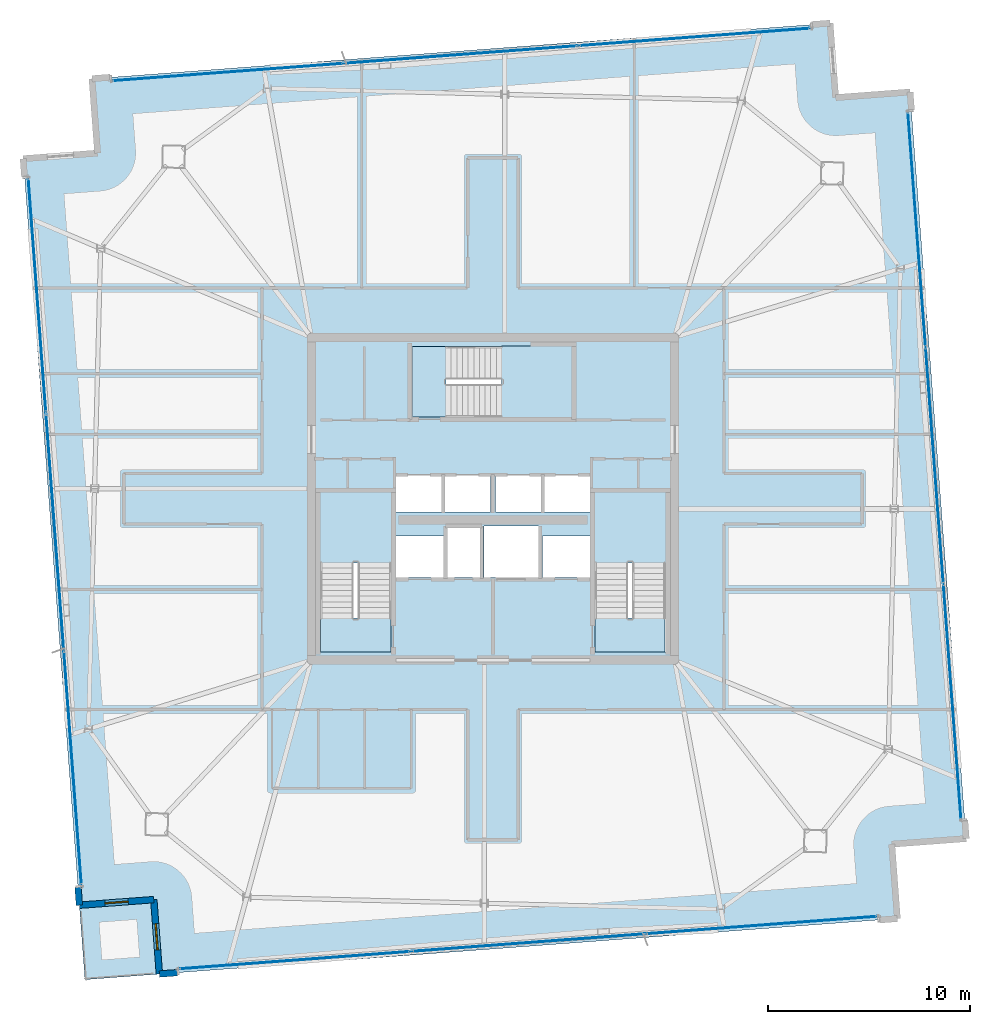
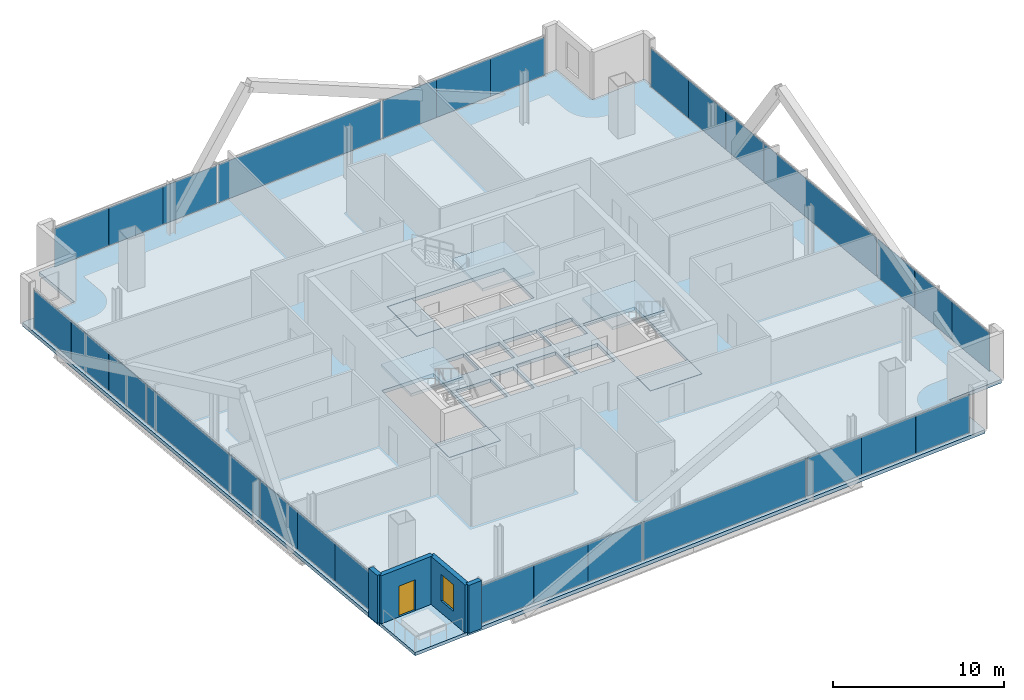
# One storey, part 16 of 23: 28 plates, 8 slabs, 4 walls, 1 door, 1 window, 2 openings, 7 elements without a shape of their own.
"""IFC4 building model written with IfcOpenShell, lengths in metres."""

from ifc_helpers import new_model, si_unit, direction, frame, frame_2d, origin, origin_2d, place, context, subcontext, project, spatial, polyline, rectangle, outline, extrude, source, transform, mapped, material, layer, layer_set, type_object, element, fill, aggregate, save


model = new_model("IFC4")

# Units and contexts
model_context = context("Model", 3, precision=1e-05, world=origin(), true_north=direction((0.0, 1.0)))
body_context = subcontext(model_context, "Body", "Model", "MODEL_VIEW")
ifc_project = project(units=[si_unit("LENGTHUNIT", "METRE"), si_unit("AREAUNIT", "SQUARE_METRE"), si_unit("VOLUMEUNIT", "CUBIC_METRE"), si_unit("PLANEANGLEUNIT", "RADIAN"), si_unit("MASSUNIT", "GRAM", prefix="KILO")], contexts=[model_context])

# Site, building, storey
site_placement = place(None, origin())
site = spatial("IfcSite", under=ifc_project, at=site_placement, CompositionType="ELEMENT")
building_placement = place(site_placement, origin())
building = spatial("IfcBuilding", under=site, at=building_placement, Name="Haldenkirk Collegiate Tower", CompositionType="ELEMENT")
storey_placement = place(building_placement, frame((0.0, 0.0, 343.949951171875)))
storey = spatial("IfcBuildingStorey", under=building, at=storey_placement, Name="L87", CompositionType="ELEMENT", Elevation=343.949951171875)

# Slab
ifc_material_1 = material(Name="Concrete f'c 40 MPa", Category="concrete")
ifc_layer_1 = layer(ifc_material_1, 0.260009765625)
ifc_layer_set_1 = layer_set([ifc_layer_1], Name="Concrete f'c 40 MPa")
slab_type_1 = type_object("IfcSlabType", Name="SLB-FLR-260", PredefinedType="FLOOR", material=ifc_layer_set_1)
slab_1_placement = place(storey_placement, frame((0.0, 0.0, -0.260009765625)))
element("IfcSlab", 1, at=slab_1_placement, inside=storey, type_object=slab_type_1, Name="L87 composite structural floor slab", PredefinedType="FLOOR", context=body_context, shape_type="SweptSolid", body=[
    extrude(outline(polyline([(59.45361328125, 9.1611328125), (56.671875, 46.15673828125), (52.982421875, 45.87939453125), (52.704833984375, 49.56884765625), (16.133056640625, 46.819091796875), (16.410400390625, 43.12939453125), (12.720947265625, 42.85205078125), (15.502685546875, 5.8564453125), (19.192138671875, 6.1337890625), (19.469482421875, 2.4443359375), (56.04150390625, 5.194091796875), (55.763916015625, 8.8837890625), (59.45361328125, 9.1611328125)]), holes=[polyline([(27.449951171875, 18.39990234375), (30.949951171875, 18.39990234375), (30.949951171875, 26.300048828125), (27.449951171875, 26.300048828125), (27.449951171875, 18.39990234375)]), polyline([(41.050048828125, 18.39990234375), (44.550048828125, 18.39990234375), (44.550048828125, 26.300048828125), (41.050048828125, 26.300048828125), (41.050048828125, 18.39990234375)]), polyline([(32.0, 30.050048828125), (39.89990234375, 30.050048828125), (39.89990234375, 33.550048828125), (32.0, 33.550048828125), (32.0, 30.050048828125)]), polyline([(33.75, 22.10009765625), (35.35009765625, 22.10009765625), (35.35009765625, 24.550048828125), (33.75, 24.550048828125), (33.75, 22.10009765625)]), polyline([(31.199951171875, 25.35009765625), (33.47998046875, 25.35009765625), (33.47998046875, 27.14990234375), (31.199951171875, 27.14990234375), (31.199951171875, 25.35009765625)]), polyline([(33.60009765625, 25.35009765625), (35.8798828125, 25.35009765625), (35.8798828125, 27.14990234375), (33.60009765625, 27.14990234375), (33.60009765625, 25.35009765625)]), polyline([(36.1201171875, 25.35009765625), (38.39990234375, 25.35009765625), (38.39990234375, 27.14990234375), (36.1201171875, 27.14990234375), (36.1201171875, 25.35009765625)]), polyline([(38.52001953125, 25.35009765625), (40.800048828125, 25.35009765625), (40.800048828125, 27.14990234375), (38.52001953125, 27.14990234375), (38.52001953125, 25.35009765625)]), polyline([(31.199951171875, 22.10009765625), (33.550048828125, 22.10009765625), (33.550048828125, 24.14990234375), (31.199951171875, 24.14990234375), (31.199951171875, 22.10009765625)]), polyline([(38.449951171875, 22.10009765625), (40.800048828125, 22.10009765625), (40.800048828125, 24.14990234375), (38.449951171875, 24.14990234375), (38.449951171875, 22.10009765625)]), polyline([(35.550048828125, 22.10009765625), (38.25, 22.10009765625), (38.25, 24.64990234375), (35.550048828125, 24.64990234375), (35.550048828125, 22.10009765625)])]), origin(), (0.0, 0.0, 1.0), 0.260009765625),
])

# Stair, slab
stair_type = type_object("IfcStairType", Name="STR-DOGLEG-1650", PredefinedType="HALF_TURN_STAIR", material=ifc_material_1)
stair_1_placement = place(storey_placement, origin())
stair_1 = element("IfcStair", 2, at=stair_1_placement, inside=storey, type_object=stair_type, Name="L87 Core Exit Stair ST-1", PredefinedType="HALF_TURN_STAIR")
ifc_layer_2 = layer(ifc_material_1, 0.199951171875)
ifc_layer_set_2 = layer_set([ifc_layer_2], Name="Concrete f'c 40 MPa")
slab_type_2 = type_object("IfcSlabType", Name="SLB-LANDING-200", PredefinedType="LANDING", material=ifc_layer_set_2)
slab_2_placement = place(storey_placement, frame((0.0, 0.0, 1.675048828125)))
slab_2 = element("IfcSlab", 3, at=slab_2_placement, type_object=slab_type_2, Name="ST-1 landing 1", PredefinedType="LANDING", context=body_context, shape_type="SweptSolid", body=[
    extrude(outline(polyline([(30.97509765625, 22.824951171875), (27.425048828125, 22.824951171875), (27.425048828125, 26.324951171875), (30.97509765625, 26.324951171875), (30.97509765625, 22.824951171875)])), origin(), (0.0, 0.0, 1.0), 0.199951171875),
])
aggregate(stair_1, [slab_2])

stair_2_placement = place(storey_placement, origin())
stair_2 = element("IfcStair", 4, at=stair_2_placement, inside=storey, type_object=stair_type, Name="L87 Core Exit Stair ST-2", PredefinedType="HALF_TURN_STAIR")
slab_3_placement = place(storey_placement, frame((0.0, 0.0, 1.675048828125)))
slab_3 = element("IfcSlab", 5, at=slab_3_placement, type_object=slab_type_2, Name="ST-2 landing 1", PredefinedType="LANDING", context=body_context, shape_type="SweptSolid", body=[
    extrude(outline(polyline([(44.574951171875, 22.824951171875), (41.02490234375, 22.824951171875), (41.02490234375, 26.324951171875), (44.574951171875, 26.324951171875), (44.574951171875, 22.824951171875)])), origin(), (0.0, 0.0, 1.0), 0.199951171875),
])
aggregate(stair_2, [slab_3])

stair_3_placement = place(storey_placement, origin())
stair_3 = element("IfcStair", 6, at=stair_3_placement, inside=storey, type_object=stair_type, Name="L87 Core Exit Stair ST-3", PredefinedType="HALF_TURN_STAIR")
slab_4_placement = place(storey_placement, frame((0.0, 0.0, 1.675048828125)))
slab_4 = element("IfcSlab", 7, at=slab_4_placement, type_object=slab_type_2, Name="ST-3 landing 1", PredefinedType="LANDING", context=body_context, shape_type="SweptSolid", body=[
    extrude(outline(polyline([(36.425048828125, 30.02490234375), (36.425048828125, 33.574951171875), (39.925048828125, 33.574951171875), (39.925048828125, 30.02490234375), (36.425048828125, 30.02490234375)])), origin(), (0.0, 0.0, 1.0), 0.199951171875),
])
aggregate(stair_3, [slab_4])

# Slabs
ifc_layer_3 = layer(ifc_material_1, 0.25)
ifc_layer_set_3 = layer_set([ifc_layer_3], Name="Concrete f'c 40 MPa")
slab_type_3 = type_object("IfcSlabType", Name="SLB-STAIRLAND-250", PredefinedType="LANDING", material=ifc_layer_set_3)
slab_5_placement = place(storey_placement, frame((0.0, 0.0, -0.25)))
element("IfcSlab", 8, at=slab_5_placement, inside=storey, type_object=slab_type_3, Name="L87 stair ST1 structural floor landing slab", PredefinedType="LANDING", context=body_context, shape_type="SweptSolid", body=[
    extrude(outline(polyline([(27.4599609375, 18.409912109375), (30.93994140625, 18.409912109375), (30.93994140625, 20.080078125), (27.4599609375, 20.080078125), (27.4599609375, 18.409912109375)])), origin(), (0.0, 0.0, 1.0), 0.25),
])
slab_6_placement = place(storey_placement, frame((0.0, 0.0, -0.25)))
element("IfcSlab", 9, at=slab_6_placement, inside=storey, type_object=slab_type_3, Name="L87 stair ST2 structural floor landing slab", PredefinedType="LANDING", context=body_context, shape_type="SweptSolid", body=[
    extrude(outline(polyline([(41.06005859375, 18.409912109375), (44.5400390625, 18.409912109375), (44.5400390625, 20.080078125), (41.06005859375, 20.080078125), (41.06005859375, 18.409912109375)])), origin(), (0.0, 0.0, 1.0), 0.25),
])
slab_7_placement = place(storey_placement, frame((0.0, 0.0, -0.25)))
element("IfcSlab", 10, at=slab_7_placement, inside=storey, type_object=slab_type_3, Name="L87 stair ST3 structural floor landing slab", PredefinedType="LANDING", context=body_context, shape_type="SweptSolid", body=[
    extrude(outline(polyline([(32.010009765625, 30.06005859375), (33.679931640625, 30.06005859375), (33.679931640625, 33.5400390625), (32.010009765625, 33.5400390625), (32.010009765625, 30.06005859375)])), origin(), (0.0, 0.0, 1.0), 0.25),
])
ifc_layer_4 = layer(ifc_material_1, 0.22998046875)
ifc_layer_set_4 = layer_set([ifc_layer_4], Name="Concrete f'c 40 MPa")
slab_type_4 = type_object("IfcSlabType", Name="SLB-TERR-SPIRAL-230", PredefinedType="FLOOR", material=ifc_layer_set_4)
slab_8_placement = place(storey_placement, frame((0.0, 0.0, -0.22998046875)))
element("IfcSlab", 11, at=slab_8_placement, inside=storey, type_object=slab_type_4, Name="L87 spiralling corner terrace slab", PredefinedType="FLOOR", context=body_context, shape_type="SweptSolid", body=[
    extrude(outline(polyline([(19.469482421875, 2.4443359375), (19.192138671875, 6.1337890625), (15.502685546875, 5.8564453125), (15.780029296875, 2.166748046875), (19.469482421875, 2.4443359375)])), origin(), (0.0, 0.0, 1.0), 0.22998046875),
])

# Curtain wall, plates
ifc_material_2 = material(Name="Anodised architectural bronze aluminium", Category="aluminium")
curtain_wall_type_1 = type_object("IfcCurtainWallType", Name="CW-SYS2-CONCAVE", PredefinedType="USERDEFINED", material=ifc_material_2)
curtain_wall_1_placement = place(storey_placement, origin())
curtain_wall_1 = element("IfcCurtainWall", 12, at=curtain_wall_1_placement, inside=storey, type_object=curtain_wall_type_1, Name="L87 South concave recessed bronze-anodised curtain wall", ObjectType="UNITISED CURTAIN WALL", PredefinedType="USERDEFINED")
ifc_material_3 = material(Name="Low-E argon triple insulating glass", Category="glass")
ifc_layer_5 = layer(ifc_material_3, 0.0419921875)
ifc_layer_set_5 = layer_set([ifc_layer_5], Name="Low-E argon triple insulating glass")
plate_type_1 = type_object("IfcPlateType", Name="CW-PNL-02", PredefinedType="CURTAIN_PANEL", material=ifc_layer_set_5)
shared_shape_1 = source(origin(), body_context, "Body", "SweptSolid", [
    extrude(rectangle(XDim=3.872314453125, YDim=0.0419921875, at=origin_2d()), origin(), (0.0, 0.0, 1.0), 2.738037109375),
])
plate_1_placement = place(storey_placement, frame((56.710693359375, 43.240234375, 0.0751953125), z_axis=(0.0, 0.0, 1.0), x_axis=(0.074977419512, -0.997185231822, 0.0)))
plate_1 = element("IfcPlate", 13, at=plate_1_placement, type_object=plate_type_1, Name="CW-02 panel 1.1a", PredefinedType="CURTAIN_PANEL", context=body_context, shape_type="MappedRepresentation", body=[
    mapped(shared_shape_1, transform((0.0, 0.0, 0.0), x_axis=(1.0, 0.0, 0.0), y_axis=(0.0, 1.0, 0.0), z_axis=(0.0, 0.0, 1.0), scale=1.0)),
])
ifc_material_4 = material(Name="Bronze-anodised insulated aluminium spandrel panel", Category="aluminium")
ifc_layer_6 = layer(ifc_material_4, 0.0419921875)
ifc_layer_set_6 = layer_set([ifc_layer_6], Name="Bronze-anodised insulated aluminium spandrel panel")
plate_type_2 = type_object("IfcPlateType", Name="CW-SPD-02", PredefinedType="CURTAIN_PANEL", material=ifc_layer_set_6)
plate_2_placement = place(storey_placement, frame((57.294189453125, 35.480224609375, 0.0751953125), z_axis=(0.0, 0.0, 1.0), x_axis=(0.074977419512, -0.997185231822, 0.0)))
plate_2 = element("IfcPlate", 14, at=plate_2_placement, type_object=plate_type_2, Name="CW-02 spandrel panel 1.1c", PredefinedType="CURTAIN_PANEL", context=body_context, shape_type="MappedRepresentation", body=[
    mapped(shared_shape_1, transform((0.0, 0.0, 0.0), x_axis=(1.0, 0.0, 0.0), y_axis=(0.0, 1.0, 0.0), z_axis=(0.0, 0.0, 1.0), scale=1.0)),
])
plate_3_placement = place(storey_placement, frame((58.472412109375, 19.810546875, 0.0751953125), z_axis=(0.0, 0.0, 1.0), x_axis=(0.074977419512, -0.997185231822, 0.0)))
plate_3 = element("IfcPlate", 15, at=plate_3_placement, type_object=plate_type_2, Name="CW-02 spandrel panel 3.1a", PredefinedType="CURTAIN_PANEL", context=body_context, shape_type="MappedRepresentation", body=[
    mapped(shared_shape_1, transform((0.0, 0.0, 0.0), x_axis=(1.0, 0.0, 0.0), y_axis=(0.0, 1.0, 0.0), z_axis=(0.0, 0.0, 1.0), scale=1.0)),
])
plate_4_placement = place(storey_placement, frame((59.055908203125, 12.050537109375, 0.0751953125), z_axis=(0.0, 0.0, 1.0), x_axis=(0.074977419512, -0.997185231822, 0.0)))
plate_4 = element("IfcPlate", 16, at=plate_4_placement, type_object=plate_type_2, Name="CW-02 spandrel panel 3.1c", PredefinedType="CURTAIN_PANEL", context=body_context, shape_type="MappedRepresentation", body=[
    mapped(shared_shape_1, transform((0.0, 0.0, 0.0), x_axis=(1.0, 0.0, 0.0), y_axis=(0.0, 1.0, 0.0), z_axis=(0.0, 0.0, 1.0), scale=1.0)),
])
shared_shape_2 = source(origin(), body_context, "Body", "SweptSolid", [
    extrude(rectangle(XDim=3.859619140625, YDim=0.0419921875, at=origin_2d()), origin(), (0.0, 0.0, 1.0), 2.738037109375),
])
plate_5_placement = place(storey_placement, frame((57.00244140625, 39.360107421875, 0.0751953125), z_axis=(0.0, 0.0, 1.0), x_axis=(0.074977419512, -0.997185231822, 0.0)))
plate_5 = element("IfcPlate", 17, at=plate_5_placement, type_object=plate_type_2, Name="CW-02 spandrel panel 1.1b", PredefinedType="CURTAIN_PANEL", context=body_context, shape_type="MappedRepresentation", body=[
    mapped(shared_shape_2, transform((0.0, 0.0, 0.0), x_axis=(1.0, 0.0, 0.0), y_axis=(0.0, 1.0, 0.0), z_axis=(0.0, 0.0, 1.0), scale=1.0)),
])
plate_6_placement = place(storey_placement, frame((58.76416015625, 15.9306640625, 0.0751953125), z_axis=(0.0, 0.0, 1.0), x_axis=(0.074977419512, -0.997185231822, 0.0)))
plate_6 = element("IfcPlate", 18, at=plate_6_placement, type_object=plate_type_2, Name="CW-02 spandrel panel 3.1b", PredefinedType="CURTAIN_PANEL", context=body_context, shape_type="MappedRepresentation", body=[
    mapped(shared_shape_2, transform((0.0, 0.0, 0.0), x_axis=(1.0, 0.0, 0.0), y_axis=(0.0, 1.0, 0.0), z_axis=(0.0, 0.0, 1.0), scale=1.0)),
])
shared_shape_3 = source(origin(), body_context, "Body", "SweptSolid", [
    extrude(rectangle(XDim=11.691650390625, YDim=0.0419921875, at=origin_2d()), origin(), (0.0, 0.0, 1.0), 2.738037109375),
])
plate_7_placement = place(storey_placement, frame((57.88330078125, 27.6455078125, 0.0751953125), z_axis=(0.0, 0.0, 1.0), x_axis=(0.074977419512, -0.997185231822, 0.0)))
plate_7 = element("IfcPlate", 19, at=plate_7_placement, type_object=plate_type_1, Name="CW-02 panel 2.1", PredefinedType="CURTAIN_PANEL", context=body_context, shape_type="MappedRepresentation", body=[
    mapped(shared_shape_3, transform((0.0, 0.0, 0.0), x_axis=(1.0, 0.0, 0.0), y_axis=(0.0, 1.0, 0.0), z_axis=(0.0, 0.0, 1.0), scale=1.0)),
])
aggregate(curtain_wall_1, [plate_1, plate_5, plate_2, plate_7, plate_3, plate_6, plate_4])

curtain_wall_type_2 = type_object("IfcCurtainWallType", Name="CW-SYS1B-CONVEX-HI", PredefinedType="USERDEFINED", material=ifc_material_2)
curtain_wall_2_placement = place(storey_placement, origin())
curtain_wall_2 = element("IfcCurtainWall", 20, at=curtain_wall_2_placement, inside=storey, type_object=curtain_wall_type_2, Name="L87 Upper tower high-wind convex bronze unitised curtain wall", ObjectType="UNITISED CURTAIN WALL", PredefinedType="USERDEFINED")
ifc_layer_7 = layer(ifc_material_3, 0.048095703125)
ifc_layer_set_7 = layer_set([ifc_layer_7], Name="Low-E argon triple insulating glass")
plate_type_3 = type_object("IfcPlateType", Name="CW-PNL-1B", PredefinedType="CURTAIN_PANEL", material=ifc_layer_set_7)
shared_shape_4 = source(origin(), body_context, "Body", "SweptSolid", [
    extrude(rectangle(XDim=3.820068359375, YDim=0.048095703125, at=origin_2d()), origin(), (0.0, 0.0, 1.0), 2.718017578125),
])
plate_8_placement = place(storey_placement, frame((19.033447265625, 46.856689453125, 0.0849609375), z_axis=(0.0, 0.0, 1.0), x_axis=(0.997185092206, 0.074979276345, 0.0)))
plate_8 = element("IfcPlate", 21, at=plate_8_placement, type_object=plate_type_3, Name="CW-1B panel 1.1a", PredefinedType="CURTAIN_PANEL", context=body_context, shape_type="MappedRepresentation", body=[
    mapped(shared_shape_4, transform((0.0, 0.0, 0.0), x_axis=(1.0, 0.0, 0.0), y_axis=(0.0, 1.0, 0.0), z_axis=(0.0, 0.0, 1.0), scale=1.0)),
])
ifc_layer_8 = layer(ifc_material_4, 0.048095703125)
ifc_layer_set_8 = layer_set([ifc_layer_8], Name="Bronze-anodised insulated aluminium spandrel panel")
plate_type_4 = type_object("IfcPlateType", Name="CW-SPD-1B", PredefinedType="CURTAIN_PANEL", material=ifc_layer_set_8)
plate_9_placement = place(storey_placement, frame((26.689453125, 47.43212890625, 0.0849609375), z_axis=(0.0, 0.0, 1.0), x_axis=(0.997185092206, 0.074979276345, 0.0)))
plate_9 = element("IfcPlate", 22, at=plate_9_placement, type_object=plate_type_4, Name="CW-1B spandrel panel 1.1c", PredefinedType="CURTAIN_PANEL", context=body_context, shape_type="MappedRepresentation", body=[
    mapped(shared_shape_4, transform((0.0, 0.0, 0.0), x_axis=(1.0, 0.0, 0.0), y_axis=(0.0, 1.0, 0.0), z_axis=(0.0, 0.0, 1.0), scale=1.0)),
])
plate_10_placement = place(storey_placement, frame((42.175537109375, 48.5966796875, 0.0849609375), z_axis=(0.0, 0.0, 1.0), x_axis=(0.997185092206, 0.074979276345, 0.0)))
plate_10 = element("IfcPlate", 23, at=plate_10_placement, type_object=plate_type_4, Name="CW-1B spandrel panel 3.1a", PredefinedType="CURTAIN_PANEL", context=body_context, shape_type="MappedRepresentation", body=[
    mapped(shared_shape_4, transform((0.0, 0.0, 0.0), x_axis=(1.0, 0.0, 0.0), y_axis=(0.0, 1.0, 0.0), z_axis=(0.0, 0.0, 1.0), scale=1.0)),
])
plate_11_placement = place(storey_placement, frame((49.83154296875, 49.17236328125, 0.0849609375), z_axis=(0.0, 0.0, 1.0), x_axis=(0.997185092206, 0.074979276345, 0.0)))
plate_11 = element("IfcPlate", 24, at=plate_11_placement, type_object=plate_type_4, Name="CW-1B spandrel panel 3.1c", PredefinedType="CURTAIN_PANEL", context=body_context, shape_type="MappedRepresentation", body=[
    mapped(shared_shape_4, transform((0.0, 0.0, 0.0), x_axis=(1.0, 0.0, 0.0), y_axis=(0.0, 1.0, 0.0), z_axis=(0.0, 0.0, 1.0), scale=1.0)),
])

curtain_wall_3_placement = place(storey_placement, origin())
curtain_wall_3 = element("IfcCurtainWall", 25, at=curtain_wall_3_placement, inside=storey, type_object=curtain_wall_type_2, Name="L87 Upper tower high-wind convex bronze unitised curtain wall", ObjectType="UNITISED CURTAIN WALL", PredefinedType="USERDEFINED")
plate_12_placement = place(storey_placement, frame((53.14111328125, 5.156494140625, 0.0849609375), z_axis=(0.0, 0.0, 1.0), x_axis=(-0.997185306592, -0.074976425073, 0.0)))
plate_12 = element("IfcPlate", 26, at=plate_12_placement, type_object=plate_type_3, Name="CW-1B panel 1.1a", PredefinedType="CURTAIN_PANEL", context=body_context, shape_type="MappedRepresentation", body=[
    mapped(shared_shape_4, transform((0.0, 0.0, 0.0), x_axis=(1.0, 0.0, 0.0), y_axis=(0.0, 1.0, 0.0), z_axis=(0.0, 0.0, 1.0), scale=1.0)),
])
plate_13_placement = place(storey_placement, frame((45.485107421875, 4.580810546875, 0.0849609375), z_axis=(0.0, 0.0, 1.0), x_axis=(-0.997185306592, -0.074976425073, 0.0)))
plate_13 = element("IfcPlate", 27, at=plate_13_placement, type_object=plate_type_4, Name="CW-1B spandrel panel 1.1c", PredefinedType="CURTAIN_PANEL", context=body_context, shape_type="MappedRepresentation", body=[
    mapped(shared_shape_4, transform((0.0, 0.0, 0.0), x_axis=(1.0, 0.0, 0.0), y_axis=(0.0, 1.0, 0.0), z_axis=(0.0, 0.0, 1.0), scale=1.0)),
])
plate_14_placement = place(storey_placement, frame((29.998779296875, 3.41650390625, 0.0849609375), z_axis=(0.0, 0.0, 1.0), x_axis=(-0.997185306592, -0.074976425073, 0.0)))
plate_14 = element("IfcPlate", 28, at=plate_14_placement, type_object=plate_type_4, Name="CW-1B spandrel panel 3.1a", PredefinedType="CURTAIN_PANEL", context=body_context, shape_type="MappedRepresentation", body=[
    mapped(shared_shape_4, transform((0.0, 0.0, 0.0), x_axis=(1.0, 0.0, 0.0), y_axis=(0.0, 1.0, 0.0), z_axis=(0.0, 0.0, 1.0), scale=1.0)),
])
plate_15_placement = place(storey_placement, frame((22.343017578125, 2.8408203125, 0.0849609375), z_axis=(0.0, 0.0, 1.0), x_axis=(-0.997185306592, -0.074976425073, 0.0)))
plate_15 = element("IfcPlate", 29, at=plate_15_placement, type_object=plate_type_4, Name="CW-1B spandrel panel 3.1c", PredefinedType="CURTAIN_PANEL", context=body_context, shape_type="MappedRepresentation", body=[
    mapped(shared_shape_4, transform((0.0, 0.0, 0.0), x_axis=(1.0, 0.0, 0.0), y_axis=(0.0, 1.0, 0.0), z_axis=(0.0, 0.0, 1.0), scale=1.0)),
])

# Plate
shared_shape_5 = source(origin(), body_context, "Body", "SweptSolid", [
    extrude(rectangle(XDim=3.8076171875, YDim=0.048095703125, at=origin_2d()), origin(), (0.0, 0.0, 1.0), 2.718017578125),
])
plate_16_placement = place(storey_placement, frame((22.861328125, 47.144287109375, 0.0849609375), z_axis=(0.0, 0.0, 1.0), x_axis=(0.997185092206, 0.074979276345, 0.0)))
plate_16 = element("IfcPlate", 30, at=plate_16_placement, type_object=plate_type_3, Name="CW-1B panel 1.1b", PredefinedType="CURTAIN_PANEL", context=body_context, shape_type="MappedRepresentation", body=[
    mapped(shared_shape_5, transform((0.0, 0.0, 0.0), x_axis=(1.0, 0.0, 0.0), y_axis=(0.0, 1.0, 0.0), z_axis=(0.0, 0.0, 1.0), scale=1.0)),
])

plate_17_placement = place(storey_placement, frame((46.003662109375, 48.884521484375, 0.0849609375), z_axis=(0.0, 0.0, 1.0), x_axis=(0.997185092206, 0.074979276345, 0.0)))
plate_17 = element("IfcPlate", 31, at=plate_17_placement, type_object=plate_type_4, Name="CW-1B spandrel panel 3.1b", PredefinedType="CURTAIN_PANEL", context=body_context, shape_type="MappedRepresentation", body=[
    mapped(shared_shape_5, transform((0.0, 0.0, 0.0), x_axis=(1.0, 0.0, 0.0), y_axis=(0.0, 1.0, 0.0), z_axis=(0.0, 0.0, 1.0), scale=1.0)),
])

plate_18_placement = place(storey_placement, frame((49.31298828125, 4.86865234375, 0.0849609375), z_axis=(0.0, 0.0, 1.0), x_axis=(-0.997185306592, -0.074976425073, 0.0)))
plate_18 = element("IfcPlate", 32, at=plate_18_placement, type_object=plate_type_3, Name="CW-1B panel 1.1b", PredefinedType="CURTAIN_PANEL", context=body_context, shape_type="MappedRepresentation", body=[
    mapped(shared_shape_5, transform((0.0, 0.0, 0.0), x_axis=(1.0, 0.0, 0.0), y_axis=(0.0, 1.0, 0.0), z_axis=(0.0, 0.0, 1.0), scale=1.0)),
])

plate_19_placement = place(storey_placement, frame((26.1708984375, 3.128662109375, 0.0849609375), z_axis=(0.0, 0.0, 1.0), x_axis=(-0.997185306592, -0.074976425073, 0.0)))
plate_19 = element("IfcPlate", 33, at=plate_19_placement, type_object=plate_type_4, Name="CW-1B spandrel panel 3.1b", PredefinedType="CURTAIN_PANEL", context=body_context, shape_type="MappedRepresentation", body=[
    mapped(shared_shape_5, transform((0.0, 0.0, 0.0), x_axis=(1.0, 0.0, 0.0), y_axis=(0.0, 1.0, 0.0), z_axis=(0.0, 0.0, 1.0), scale=1.0)),
])

shared_shape_6 = source(origin(), body_context, "Body", "SweptSolid", [
    extrude(rectangle(XDim=11.5400390625, YDim=0.048095703125, at=origin_2d()), origin(), (0.0, 0.0, 1.0), 2.718017578125),
])
plate_20_placement = place(storey_placement, frame((34.4326171875, 48.014404296875, 0.0849609375), z_axis=(0.0, 0.0, 1.0), x_axis=(0.997185092206, 0.074979276345, 0.0)))
plate_20 = element("IfcPlate", 34, at=plate_20_placement, type_object=plate_type_3, Name="CW-1B panel 2.1", PredefinedType="CURTAIN_PANEL", context=body_context, shape_type="MappedRepresentation", body=[
    mapped(shared_shape_6, transform((0.0, 0.0, 0.0), x_axis=(1.0, 0.0, 0.0), y_axis=(0.0, 1.0, 0.0), z_axis=(0.0, 0.0, 1.0), scale=1.0)),
])

aggregate(curtain_wall_2, [plate_8, plate_16, plate_9, plate_20, plate_10, plate_17, plate_11])

plate_21_placement = place(storey_placement, frame((37.741943359375, 3.998779296875, 0.0849609375), z_axis=(0.0, 0.0, 1.0), x_axis=(-0.997185306592, -0.074976425073, 0.0)))
plate_21 = element("IfcPlate", 35, at=plate_21_placement, type_object=plate_type_3, Name="CW-1B panel 2.1", PredefinedType="CURTAIN_PANEL", context=body_context, shape_type="MappedRepresentation", body=[
    mapped(shared_shape_6, transform((0.0, 0.0, 0.0), x_axis=(1.0, 0.0, 0.0), y_axis=(0.0, 1.0, 0.0), z_axis=(0.0, 0.0, 1.0), scale=1.0)),
])

aggregate(curtain_wall_3, [plate_12, plate_18, plate_13, plate_21, plate_14, plate_19, plate_15])

# Curtain wall, plates
curtain_wall_4_placement = place(storey_placement, origin())
curtain_wall_4 = element("IfcCurtainWall", 36, at=curtain_wall_4_placement, inside=storey, type_object=curtain_wall_type_2, Name="L87 Upper tower high-wind convex bronze unitised curtain wall", ObjectType="UNITISED CURTAIN WALL", PredefinedType="USERDEFINED")
shared_shape_7 = source(origin(), body_context, "Body", "SweptSolid", [
    extrude(rectangle(XDim=3.8671875, YDim=0.048095703125, at=origin_2d()), origin(), (0.0, 0.0, 1.0), 2.718017578125),
])
plate_22_placement = place(storey_placement, frame((15.463134765625, 8.7802734375, 0.0849609375), z_axis=(0.0, 0.0, 1.0), x_axis=(-0.074977419512, 0.997185231822, 0.0)))
plate_22 = element("IfcPlate", 37, at=plate_22_placement, type_object=plate_type_3, Name="CW-1B panel 1.1a", PredefinedType="CURTAIN_PANEL", context=body_context, shape_type="MappedRepresentation", body=[
    mapped(shared_shape_7, transform((0.0, 0.0, 0.0), x_axis=(1.0, 0.0, 0.0), y_axis=(0.0, 1.0, 0.0), z_axis=(0.0, 0.0, 1.0), scale=1.0)),
])
plate_23_placement = place(storey_placement, frame((14.880615234375, 16.530517578125, 0.0849609375), z_axis=(0.0, 0.0, 1.0), x_axis=(-0.074977419512, 0.997185231822, 0.0)))
plate_23 = element("IfcPlate", 38, at=plate_23_placement, type_object=plate_type_4, Name="CW-1B spandrel panel 1.1c", PredefinedType="CURTAIN_PANEL", context=body_context, shape_type="MappedRepresentation", body=[
    mapped(shared_shape_7, transform((0.0, 0.0, 0.0), x_axis=(1.0, 0.0, 0.0), y_axis=(0.0, 1.0, 0.0), z_axis=(0.0, 0.0, 1.0), scale=1.0)),
])
plate_24_placement = place(storey_placement, frame((13.701904296875, 32.205078125, 0.0849609375), z_axis=(0.0, 0.0, 1.0), x_axis=(-0.074977419512, 0.997185231822, 0.0)))
plate_24 = element("IfcPlate", 39, at=plate_24_placement, type_object=plate_type_4, Name="CW-1B spandrel panel 3.1a", PredefinedType="CURTAIN_PANEL", context=body_context, shape_type="MappedRepresentation", body=[
    mapped(shared_shape_7, transform((0.0, 0.0, 0.0), x_axis=(1.0, 0.0, 0.0), y_axis=(0.0, 1.0, 0.0), z_axis=(0.0, 0.0, 1.0), scale=1.0)),
])
plate_25_placement = place(storey_placement, frame((13.119384765625, 39.955078125, 0.0849609375), z_axis=(0.0, 0.0, 1.0), x_axis=(-0.074977419512, 0.997185231822, 0.0)))
plate_25 = element("IfcPlate", 40, at=plate_25_placement, type_object=plate_type_4, Name="CW-1B spandrel panel 3.1c", PredefinedType="CURTAIN_PANEL", context=body_context, shape_type="MappedRepresentation", body=[
    mapped(shared_shape_7, transform((0.0, 0.0, 0.0), x_axis=(1.0, 0.0, 0.0), y_axis=(0.0, 1.0, 0.0), z_axis=(0.0, 0.0, 1.0), scale=1.0)),
])
shared_shape_8 = source(origin(), body_context, "Body", "SweptSolid", [
    extrude(rectangle(XDim=3.854736328125, YDim=0.048095703125, at=origin_2d()), origin(), (0.0, 0.0, 1.0), 2.718017578125),
])
plate_26_placement = place(storey_placement, frame((15.171875, 12.655517578125, 0.0849609375), z_axis=(0.0, 0.0, 1.0), x_axis=(-0.074977419512, 0.997185231822, 0.0)))
plate_26 = element("IfcPlate", 41, at=plate_26_placement, type_object=plate_type_4, Name="CW-1B spandrel panel 1.1b", PredefinedType="CURTAIN_PANEL", context=body_context, shape_type="MappedRepresentation", body=[
    mapped(shared_shape_8, transform((0.0, 0.0, 0.0), x_axis=(1.0, 0.0, 0.0), y_axis=(0.0, 1.0, 0.0), z_axis=(0.0, 0.0, 1.0), scale=1.0)),
])
plate_27_placement = place(storey_placement, frame((13.41064453125, 36.080078125, 0.0849609375), z_axis=(0.0, 0.0, 1.0), x_axis=(-0.074977419512, 0.997185231822, 0.0)))
plate_27 = element("IfcPlate", 42, at=plate_27_placement, type_object=plate_type_4, Name="CW-1B spandrel panel 3.1b", PredefinedType="CURTAIN_PANEL", context=body_context, shape_type="MappedRepresentation", body=[
    mapped(shared_shape_8, transform((0.0, 0.0, 0.0), x_axis=(1.0, 0.0, 0.0), y_axis=(0.0, 1.0, 0.0), z_axis=(0.0, 0.0, 1.0), scale=1.0)),
])
shared_shape_9 = source(origin(), body_context, "Body", "SweptSolid", [
    extrude(rectangle(XDim=11.681640625, YDim=0.048095703125, at=origin_2d()), origin(), (0.0, 0.0, 1.0), 2.718017578125),
])
plate_28_placement = place(storey_placement, frame((14.291259765625, 24.36767578125, 0.0849609375), z_axis=(0.0, 0.0, 1.0), x_axis=(-0.074977419512, 0.997185231822, 0.0)))
plate_28 = element("IfcPlate", 43, at=plate_28_placement, type_object=plate_type_3, Name="CW-1B panel 2.1", PredefinedType="CURTAIN_PANEL", context=body_context, shape_type="MappedRepresentation", body=[
    mapped(shared_shape_9, transform((0.0, 0.0, 0.0), x_axis=(1.0, 0.0, 0.0), y_axis=(0.0, 1.0, 0.0), z_axis=(0.0, 0.0, 1.0), scale=1.0)),
])
aggregate(curtain_wall_4, [plate_22, plate_26, plate_23, plate_28, plate_24, plate_27, plate_25])

# Wall
ifc_material_5 = material(Name="Precast concrete f'c 40 MPa", Category="concrete")
ifc_layer_9 = layer(ifc_material_5, 0.320068359375)
ifc_layer_set_9 = layer_set([ifc_layer_9], Name="Precast concrete f'c 40 MPa")
wall_type = type_object("IfcWallType", Name="WL-EXT-TWR-320", PredefinedType="STANDARD", material=ifc_layer_set_9)
wall_1_placement = place(storey_placement, frame((15.502685546875, 5.8564453125, 0.0), z_axis=(0.0, 0.0, 1.0), x_axis=(-0.075140616575, 0.997172947758, 0.0)))
element("IfcWall", 44, at=wall_1_placement, inside=storey, type_object=wall_type, Name="L87 precast corner pier NL", PredefinedType="STANDARD", context=body_context, shape_type="SweptSolid", body=[
    extrude(rectangle(XDim=0.89990234375, YDim=0.320068359375, at=frame_2d((0.449951171875, 0.0))), origin(), (0.0, 0.0, 1.0), 3.429931640625),
])

# Wall, opening, door
wall_2_placement = place(storey_placement, frame((19.192138671875, 6.1337890625, 0.0), z_axis=(0.0, 0.0, 1.0), x_axis=(-0.99718649992, -0.074960552138, 0.0)))
wall_2 = element("IfcWall", 45, at=wall_2_placement, inside=storey, type_object=wall_type, Name="L87 bronze precast notch wall 08", PredefinedType="STANDARD", context=body_context, shape_type="SweptSolid", body=[
    extrude(rectangle(XDim=3.699951171875, YDim=0.320068359375, at=frame_2d((1.85009765625, 0.0))), origin(), (0.0, 0.0, 1.0), 3.429931640625),
])
opening_1_placement = place(wall_2_placement, frame((1.27490234375, 0.0, 0.0)))
opening_1 = element("IfcOpeningElement", 46, at=opening_1_placement, cuts=wall_2, Name="Opening D-ST11", PredefinedType="OPENING", context=body_context, shape_type="SweptSolid", body=[
    extrude(rectangle(XDim=1.14990234375, YDim=2.199951171875, at=frame_2d((0.574951171875, 1.10009765625))), frame((0.0, 0.169921875, 0.0), z_axis=(0.0, -1.0, 0.0), x_axis=(1.0, 0.0, 0.0)), (0.0, 0.0, 1.0), 0.340087890625),
])
ifc_layer_10 = layer(ifc_material_2, 0.080078125)
ifc_layer_set_10 = layer_set([ifc_layer_10], Name="Anodised architectural bronze aluminium")
door_type = type_object("IfcDoorType", Name="DR-EXT-STER-1150", OperationType="NOTDEFINED", PredefinedType="DOOR", material=ifc_layer_set_10)
door_placement = place(opening_1_placement, origin())
door = element("IfcDoor", 47, at=door_placement, inside=storey, type_object=door_type, Name="L87 spiralling terrace door", OperationType="SINGLE_SWING_RIGHT", OverallHeight=2.199951171875, OverallWidth=1.14990234375, PredefinedType="DOOR", context=body_context, shape_type="SweptSolid", body=[
    extrude(rectangle(XDim=1.14990234375, YDim=2.199951171875, at=frame_2d((0.574951171875, 1.10009765625))), frame((0.0, 0.02490234375, 0.0), z_axis=(0.0, -1.0, 0.0), x_axis=(1.0, 0.0, 0.0)), (0.0, 0.0, 1.0), 0.050048828125),
])
fill(opening_1, door)

# Wall, opening, window
wall_3_placement = place(storey_placement, frame((19.469482421875, 2.4443359375, 0.0), z_axis=(0.0, 0.0, 1.0), x_axis=(-0.074960552138, 0.99718649992, 0.0)))
wall_3 = element("IfcWall", 48, at=wall_3_placement, inside=storey, type_object=wall_type, Name="L87 bronze precast notch wall 09", PredefinedType="STANDARD", context=body_context, shape_type="SweptSolid", body=[
    extrude(rectangle(XDim=3.699951171875, YDim=0.320068359375, at=frame_2d((1.85009765625, 0.0))), origin(), (0.0, 0.0, 1.0), 3.429931640625),
])
opening_2_placement = place(wall_3_placement, frame((1.199951171875, 0.0, 0.85009765625)))
opening_2 = element("IfcOpeningElement", 49, at=opening_2_placement, cuts=wall_3, Name="Opening W-08", PredefinedType="OPENING", context=body_context, shape_type="SweptSolid", body=[
    extrude(rectangle(XDim=1.300048828125, YDim=1.89990234375, at=frame_2d((0.64990234375, 0.949951171875))), frame((0.0, 0.169921875, 0.0), z_axis=(0.0, -1.0, 0.0), x_axis=(1.0, 0.0, 0.0)), (0.0, 0.0, 1.0), 0.340087890625),
])
ifc_layer_11 = layer(ifc_material_3, 0.090087890625)
ifc_layer_set_11 = layer_set([ifc_layer_11], Name="Low-E argon triple insulating glass")
window_type = type_object("IfcWindowType", Name="WN-Z6-1300X1900", PartitioningType="SINGLE_PANEL", PredefinedType="WINDOW", material=ifc_layer_set_11)
window_placement = place(opening_2_placement, origin())
window = element("IfcWindow", 50, at=window_placement, inside=storey, type_object=window_type, Name="L87 precast-frame academic window 8", OverallHeight=1.89990234375, OverallWidth=1.300048828125, PartitioningType="SINGLE_PANEL", PredefinedType="WINDOW", context=body_context, shape_type="SweptSolid", body=[
    extrude(rectangle(XDim=1.300048828125, YDim=1.89990234375, at=frame_2d((0.64990234375, 0.949951171875))), frame((0.0, 0.030029296875, 0.0), z_axis=(0.0, -1.0, 0.0), x_axis=(1.0, 0.0, 0.0)), (0.0, 0.0, 1.0), 0.06005859375),
])
fill(opening_2, window)

# Wall
wall_4_placement = place(storey_placement, frame((20.3671875, 2.51171875, 0.0), z_axis=(0.0, 0.0, 1.0), x_axis=(-0.997194757176, -0.074850626321, 0.0)))
element("IfcWall", 51, at=wall_4_placement, inside=storey, type_object=wall_type, Name="L87 precast corner pier WR", PredefinedType="STANDARD", context=body_context, shape_type="SweptSolid", body=[
    extrude(rectangle(XDim=0.900146484375, YDim=0.320068359375, at=frame_2d((0.4501953125, 0.0))), origin(), (0.0, 0.0, 1.0), 3.429931640625),
])

save(model, "model.ifc")
